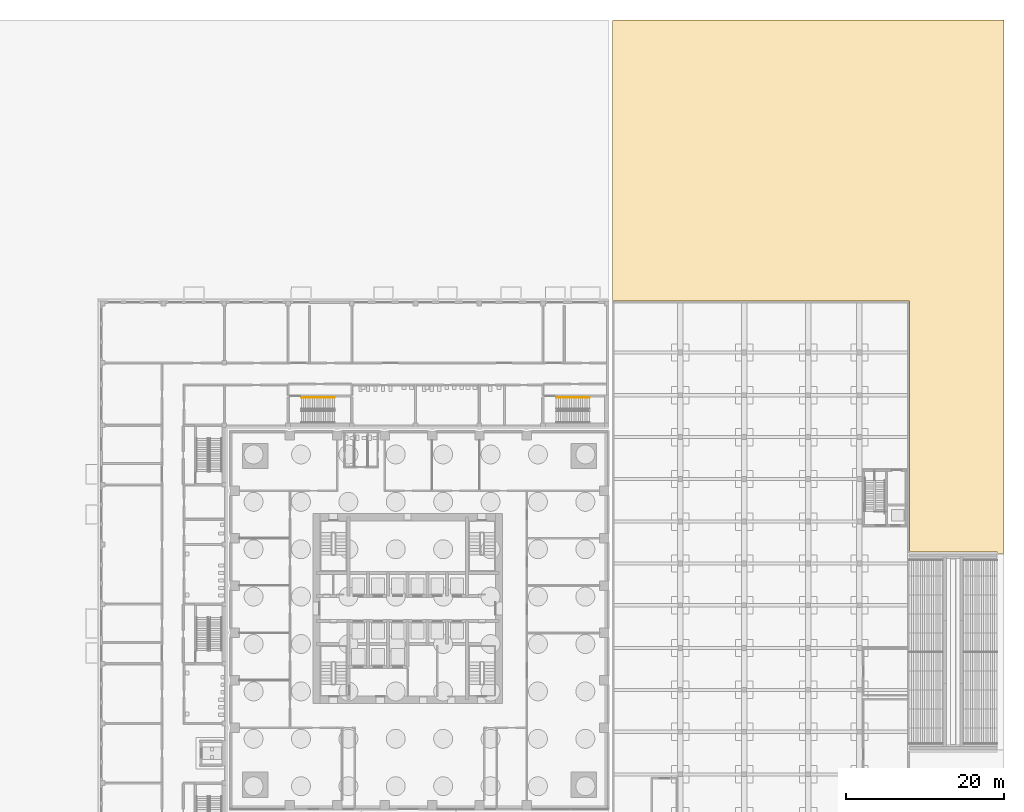
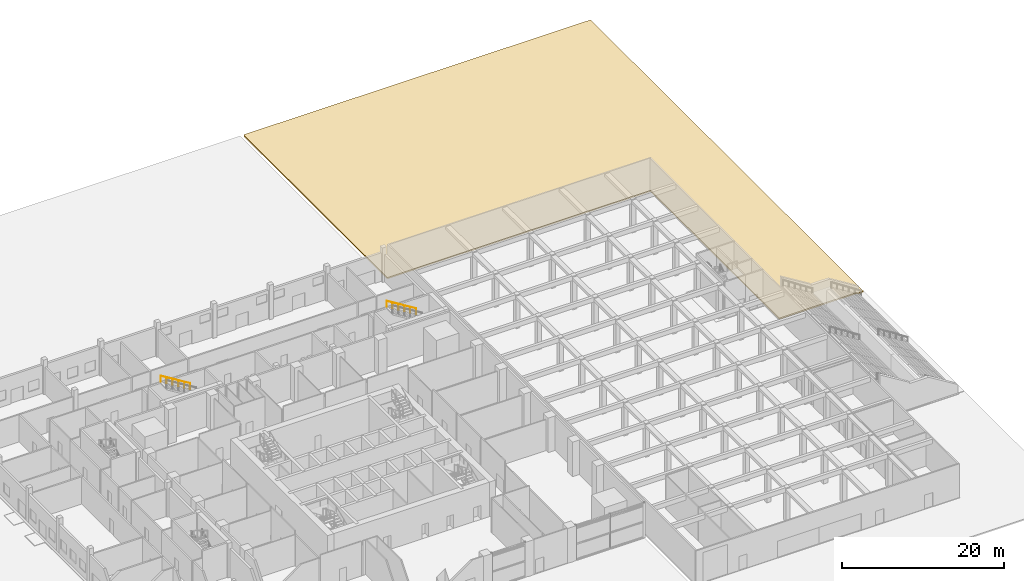
# One storey, part 31 of 33: 2 railings, 1 covering.
"""IFC4 building model written with IfcOpenShell, lengths in metres."""

from ifc_helpers import new_model, si_unit, direction, frame, origin, origin_2d, place, context, subcontext, project, spatial, polyline, circle, outline, extrude, material, layer, layer_set, type_object, element, save


model = new_model("IFC4")

# Units and contexts
model_context = context("Model", 3, precision=1e-05, world=origin(), true_north=direction((0.0, 1.0)))
body_context = subcontext(model_context, "Body", "Model", "MODEL_VIEW")
ifc_project = project(units=[si_unit("LENGTHUNIT", "METRE"), si_unit("AREAUNIT", "SQUARE_METRE"), si_unit("VOLUMEUNIT", "CUBIC_METRE"), si_unit("PLANEANGLEUNIT", "RADIAN"), si_unit("MASSUNIT", "GRAM", prefix="KILO")], contexts=[model_context])

# Site, building, storey
site_placement = place(None, origin())
site = spatial("IfcSite", under=ifc_project, at=site_placement, CompositionType="ELEMENT")
building_placement = place(site_placement, origin())
building = spatial("IfcBuilding", under=site, at=building_placement, Name="Amberfall Residences", CompositionType="ELEMENT")
storey_placement = place(building_placement, origin())
storey = spatial("IfcBuildingStorey", under=building, at=storey_placement, Name="L00", CompositionType="ELEMENT", Elevation=0.0)

# Railings
ifc_material_1 = material(Name="Stainless steel", Category="steel")
railing_type = type_object("IfcRailingType", Name="School stair handrail", PredefinedType="HANDRAIL", material=ifc_material_1)
for number, where, name in (
    (1, (65.241943359375, 72.199951171875, 2.921875), "L00 SS4 stair handrail 2"),
    (2, (97.508056640625, 72.199951171875, 2.921875), "L00 SS5 stair handrail 2"),
):
    element("IfcRailing", number, at=place(storey_placement, frame(where)), inside=storey, type_object=railing_type, Name=name, PredefinedType="HANDRAIL", context=body_context, shape_type="SweptSolid", body=[
        extrude(circle(Radius=0.02392578125, at=origin_2d()), frame((0.0, 0.0, 0.8759765625), z_axis=(-0.852242915053, 0.0, 0.523146264196), x_axis=(0.0, -1.0, 0.0)), (0.0, 0.0, 1.0), 4.92822265625),
        extrude(circle(Radius=0.02099609375, at=origin_2d()), origin(), (0.0, 0.0, 1.0), 0.851806640625),
        extrude(circle(Radius=0.02099609375, at=origin_2d()), frame((-0.840087890625, 0.0, 0.515625)), (0.0, 0.0, 1.0), 0.851806640625),
        extrude(circle(Radius=0.02099609375, at=origin_2d()), frame((-1.679931640625, 0.0, 1.03125)), (0.0, 0.0, 1.0), 0.851806640625),
        extrude(circle(Radius=0.02099609375, at=origin_2d()), frame((-2.52001953125, 0.0, 1.546875)), (0.0, 0.0, 1.0), 0.851806640625),
        extrude(circle(Radius=0.02099609375, at=origin_2d()), frame((-3.35986328125, 0.0, 2.0625)), (0.0, 0.0, 1.0), 0.851806640625),
        extrude(circle(Radius=0.02099609375, at=origin_2d()), frame((-4.199951171875, 0.0, 2.578125)), (0.0, 0.0, 1.0), 0.851806640625),
    ])

# Covering
ifc_material_2 = material(Name="Reinforced concrete C30 paving", Category="concrete")
ifc_layer = layer(ifc_material_2, 0.199951171875)
ifc_layer_set = layer_set([ifc_layer], Name="Site paving 200")
covering_type = type_object("IfcCoveringType", Name="Site paving 200", PredefinedType="FLOORING", material=ifc_layer_set)
covering_placement = place(storey_placement, frame((0.0, 0.0, -0.219970703125)))
element("IfcCovering", 3, at=covering_placement, inside=storey, type_object=covering_type, Name="Site paving", PredefinedType="FLOORING", context=body_context, shape_type="SweptSolid", body=[
    extrude(outline(polyline([(138.050048828125, 84.449951171875), (100.550048828125, 84.449951171875), (100.47900390625, 84.47900390625), (100.449951171875, 84.550048828125), (100.449951171875, 119.89990234375), (100.47900390625, 119.970947265625), (100.550048828125, 120.0), (149.89990234375, 120.0), (149.947021484375, 119.988037109375), (149.98291015625, 119.9560546875), (150.0, 119.89990234375), (150.0, 52.550048828125), (149.98291015625, 52.493896484375), (149.93798828125, 52.4580078125), (149.22998046875, 52.451904296875), (149.18701171875, 52.472900390625), (149.157958984375, 52.511962890625), (149.14794921875, 52.64990234375), (138.14990234375, 52.64990234375), (138.093994140625, 52.6669921875), (138.05810546875, 52.7119140625), (138.050048828125, 84.449951171875)])), origin(), (0.0, 0.0, 1.0), 0.199951171875),
])

save(model, "model.ifc")
